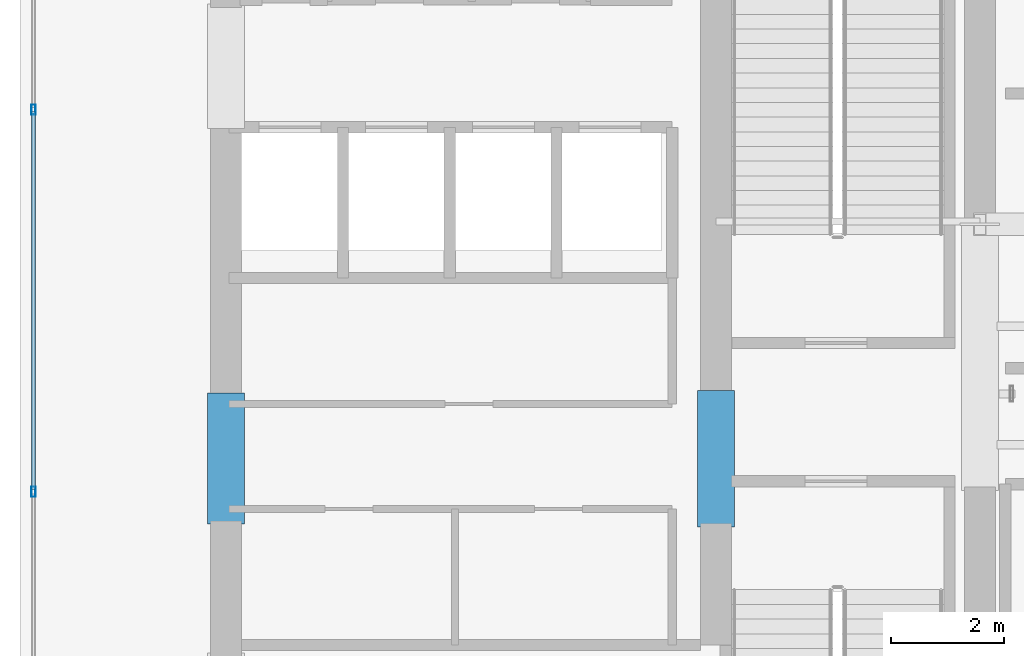
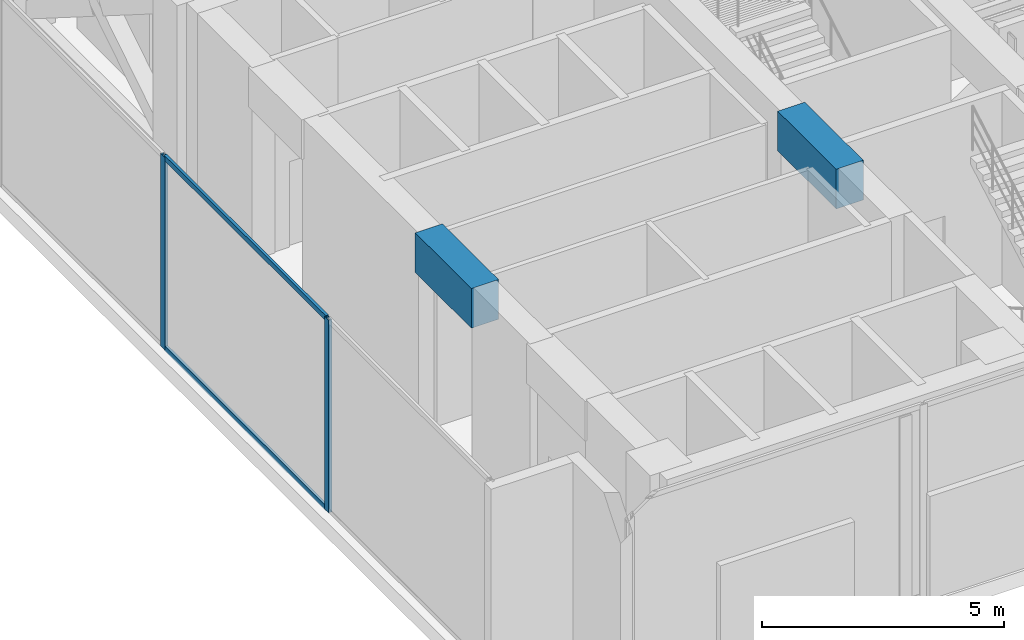
# One storey, part 4 of 31: 4 members, 2 beams, 1 element without a shape of its own.
"""IFC4 building model written with IfcOpenShell, lengths in metres."""

from ifc_helpers import new_model, si_unit, direction, frame, origin, origin_with_axes, origin_2d, place, context, subcontext, project, spatial, rectangle, hollow_rectangle, extrude, source, transform, mapped, material, layer, layer_set, material_profile, profile_set, type_object, element, aggregate, save


model = new_model("IFC4")

# Units and contexts
model_context = context("Model", 3, precision=1e-05, world=origin(), true_north=direction((0.0, 1.0)))
body_context = subcontext(model_context, "Body", "Model", "MODEL_VIEW")
ifc_project = project(units=[si_unit("LENGTHUNIT", "METRE"), si_unit("AREAUNIT", "SQUARE_METRE"), si_unit("VOLUMEUNIT", "CUBIC_METRE"), si_unit("PLANEANGLEUNIT", "RADIAN"), si_unit("MASSUNIT", "GRAM", prefix="KILO")], contexts=[model_context])

# Site, building, storey
site_placement = place(None, origin())
site = spatial("IfcSite", under=ifc_project, at=site_placement, CompositionType="ELEMENT")
building_placement = place(site_placement, origin())
building = spatial("IfcBuilding", under=site, at=building_placement, Name="Kolvaren Waterfront Exchange", CompositionType="ELEMENT")
storey_placement = place(building_placement, frame((0.0, 0.0, 257.699951171875)))
storey = spatial("IfcBuildingStorey", under=building, at=storey_placement, Name="L66", CompositionType="ELEMENT", Elevation=257.699951171875)

# Beams
ifc_material_1 = material(Name="Concrete C60/75", Category="concrete")
ifc_material_profile_1 = material_profile(ifc_material_1, rectangle(XDim=0.64990234375, YDim=1.0, at=origin_2d()), Name="RC-CB-1000x650")
ifc_profile_set_1 = profile_set([ifc_material_profile_1], Name="Concrete C60/75")
beam_type = type_object("IfcBeamType", Name="STR-CB-1000", PredefinedType="SPANDREL", material=ifc_profile_set_1)
beam_1_placement = place(storey_placement, frame((7.449951171875, 12.090087890625, 4.360107421875), z_axis=(0.0, 1.0, 0.0), x_axis=(-1.0, 0.0, 0.0)))
element("IfcBeam", 1, at=beam_1_placement, inside=storey, type_object=beam_type, Name="L66 core coupling beam 4", PredefinedType="SPANDREL", context=body_context, shape_type="SweptSolid", body=[
    extrude(rectangle(XDim=0.64990234375, YDim=1.0, at=origin_2d()), origin(), (0.0, 0.0, 1.0), 2.31982421875),
])
beam_2_placement = place(storey_placement, frame((16.125, 12.0400390625, 4.360107421875), z_axis=(0.0, 1.0, 0.0), x_axis=(-1.0, 0.0, 0.0)))
element("IfcBeam", 2, at=beam_2_placement, inside=storey, type_object=beam_type, Name="L66 core coupling beam 6", PredefinedType="SPANDREL", context=body_context, shape_type="SweptSolid", body=[
    extrude(rectangle(XDim=0.64990234375, YDim=1.0, at=origin_2d()), origin(), (0.0, 0.0, 1.0), 2.419921875),
])

# Curtain wall, members
ifc_material_2 = material(Name="Anodised dark bronze spandrel aluminium", Category="aluminium")
ifc_layer = layer(ifc_material_2, 0.219970703125, Name="Anodised dark bronze spandrel aluminium")
ifc_layer_set = layer_set([ifc_layer], Name="Anodised dark bronze spandrel aluminium")
curtain_wall_type = type_object("IfcCurtainWallType", Name="ARC-CW-SYS6", PredefinedType="USERDEFINED", material=ifc_layer_set)
curtain_wall_placement = place(storey_placement, origin())
curtain_wall = element("IfcCurtainWall", 3, at=curtain_wall_placement, inside=storey, type_object=curtain_wall_type, Name="L66 stick curtain wall CW6 (CW-L66-W)", ObjectType="STICK CURTAIN WALL", PredefinedType="USERDEFINED")
ifc_material_3 = material(Name="Anodised bronze aluminium 6063-T6", Category="aluminium")
ifc_material_profile_2 = material_profile(ifc_material_3, hollow_rectangle(XDim=0.074951171875, YDim=0.179931640625, WallThickness=0.00439453125, at=origin_2d()), Name="ALU-MUL-180x75x4.5")
ifc_profile_set_2 = profile_set([ifc_material_profile_2], Name="Anodised bronze aluminium 6063-T6")
member_type_1 = type_object("IfcMemberType", Name="ARC-CWM-180", PredefinedType="MULLION", material=ifc_profile_set_2)
shared_shape_1 = source(origin_with_axes(), body_context, "Body", "SweptSolid", [
    extrude(hollow_rectangle(XDim=0.074951171875, YDim=0.179931640625, WallThickness=0.00439453125, at=origin_2d()), origin(), (0.0, 0.0, 1.0), 4.860107421875),
])
member_1_placement = place(storey_placement, frame((4.0400390625, 12.666748046875, 0.0), z_axis=(0.0, 0.0, 1.0), x_axis=(-1.0, 0.0, 0.0)))
member_1 = element("IfcMember", 4, at=member_1_placement, type_object=member_type_1, Name="CW6 mullion 2", PredefinedType="MULLION", context=body_context, shape_type="MappedRepresentation", body=[
    mapped(shared_shape_1, transform((0.0, 0.0, 0.0), x_axis=(1.0, 0.0, 0.0), y_axis=(0.0, 1.0, 0.0), z_axis=(0.0, 0.0, 1.0), scale=1.0)),
])
member_2_placement = place(storey_placement, frame((4.0400390625, 19.433349609375, 0.0), z_axis=(0.0, 0.0, 1.0), x_axis=(-1.0, 0.0, 0.0)))
member_2 = element("IfcMember", 5, at=member_2_placement, type_object=member_type_1, Name="CW6 mullion 3", PredefinedType="MULLION", context=body_context, shape_type="MappedRepresentation", body=[
    mapped(shared_shape_1, transform((0.0, 0.0, 0.0), x_axis=(1.0, 0.0, 0.0), y_axis=(0.0, 1.0, 0.0), z_axis=(0.0, 0.0, 1.0), scale=1.0)),
])
ifc_material_profile_3 = material_profile(ifc_material_3, hollow_rectangle(XDim=0.06494140625, YDim=0.1298828125, WallThickness=0.00390625, at=origin_2d()), Name="ALU-TRN-130x65x4")
ifc_profile_set_3 = profile_set([ifc_material_profile_3], Name="Anodised bronze aluminium 6063-T6")
member_type_2 = type_object("IfcMemberType", Name="ARC-CWT-130", PredefinedType="USERDEFINED", material=ifc_profile_set_3)
shared_shape_2 = source(origin_with_axes(), body_context, "Body", "SweptSolid", [
    extrude(hollow_rectangle(XDim=0.06494140625, YDim=0.1298828125, WallThickness=0.00390625, at=origin_2d()), origin(), (0.0, 0.0, 1.0), 6.691650390625),
])
member_3_placement = place(storey_placement, frame((4.0400390625, 12.7041015625, 0.032470703125), z_axis=(0.0, 1.0, 0.0), x_axis=(-1.0, 0.0, 0.0)))
member_3 = element("IfcMember", 6, at=member_3_placement, type_object=member_type_2, Name="CW6 transom 2.1", ObjectType="TRANSOM", PredefinedType="USERDEFINED", context=body_context, shape_type="MappedRepresentation", body=[
    mapped(shared_shape_2, transform((0.0, 0.0, 0.0), x_axis=(1.0, 0.0, 0.0), y_axis=(0.0, 1.0, 0.0), z_axis=(0.0, 0.0, 1.0), scale=1.0)),
])
member_4_placement = place(storey_placement, frame((4.0400390625, 12.7041015625, 4.82763671875), z_axis=(0.0, 1.0, 0.0), x_axis=(-1.0, 0.0, 0.0)))
member_4 = element("IfcMember", 7, at=member_4_placement, type_object=member_type_2, Name="CW6 transom 2.2", ObjectType="TRANSOM", PredefinedType="USERDEFINED", context=body_context, shape_type="MappedRepresentation", body=[
    mapped(shared_shape_2, transform((0.0, 0.0, 0.0), x_axis=(1.0, 0.0, 0.0), y_axis=(0.0, 1.0, 0.0), z_axis=(0.0, 0.0, 1.0), scale=1.0)),
])
aggregate(curtain_wall, [member_1, member_2, member_3, member_4])

save(model, "model.ifc")
